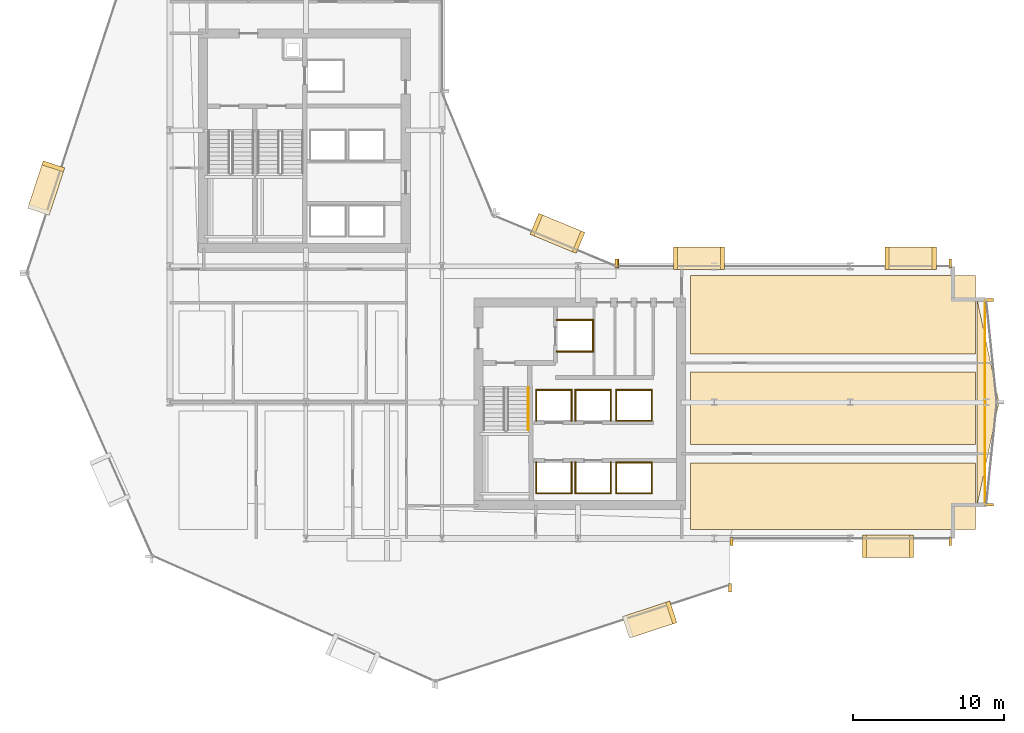
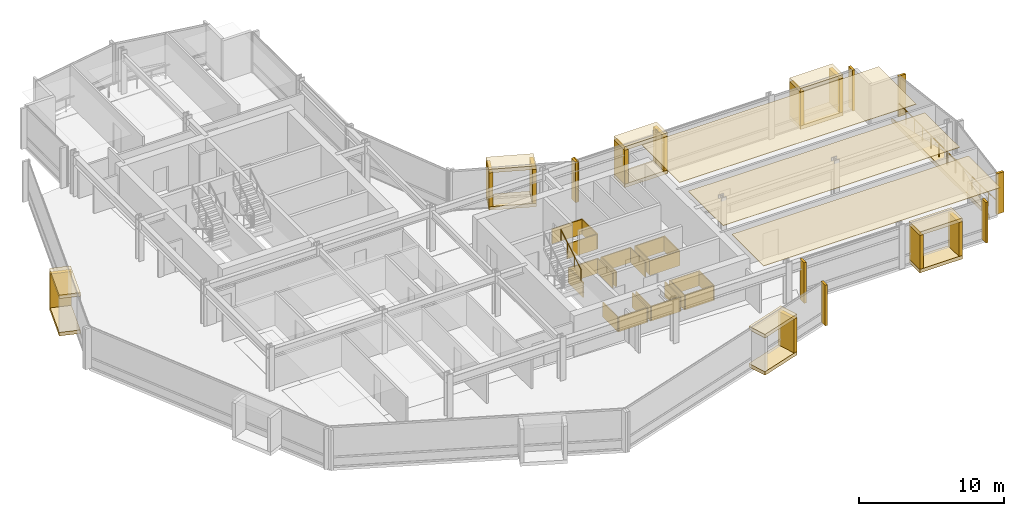
# One storey, part 32 of 34: 57 coverings, 2 railings.
"""IFC4 building model written with IfcOpenShell, lengths in metres."""

from ifc_helpers import new_model, si_unit, direction, frame, origin, origin_2d, place, context, subcontext, project, spatial, polyline, rectangle, circle, outline, extrude, material, layer, layer_set, type_object, element, save


model = new_model("IFC4")

# Units and contexts
model_context = context("Model", 3, precision=1e-05, world=origin(), true_north=direction((0.0, 1.0)))
body_context = subcontext(model_context, "Body", "Model", "MODEL_VIEW")
ifc_project = project(units=[si_unit("LENGTHUNIT", "METRE"), si_unit("AREAUNIT", "SQUARE_METRE"), si_unit("VOLUMEUNIT", "CUBIC_METRE"), si_unit("PLANEANGLEUNIT", "RADIAN"), si_unit("MASSUNIT", "GRAM", prefix="KILO")], contexts=[model_context])

# Site, building, storey
site_placement = place(None, origin())
site = spatial("IfcSite", under=ifc_project, at=site_placement, CompositionType="ELEMENT")
building_placement = place(site_placement, origin())
building = spatial("IfcBuilding", under=site, at=building_placement, Name="Solvaryn Broadcast Tower", CompositionType="ELEMENT")
storey_placement = place(building_placement, frame((0.0, 0.0, 69.300048828125)))
storey = spatial("IfcBuildingStorey", under=building, at=storey_placement, Name="L16", CompositionType="ELEMENT", Elevation=69.300048828125)

# Coverings
ifc_material_1 = material(Name="Micro-Perforated Acoustic Gypsum Ceiling", Category="concrete")
ifc_layer_1 = layer(ifc_material_1, 0.0400390625)
ifc_layer_set_1 = layer_set([ifc_layer_1], Name="CV-CEIL-ACOUSTIC")
covering_type_1 = type_object("IfcCoveringType", Name="CV-CEIL-ACOUSTIC", PredefinedType="CEILING", material=ifc_layer_set_1)
covering_1_placement = place(storey_placement, frame((0.0, 0.0, 3.3798828125)))
element("IfcCovering", 1, at=covering_1_placement, inside=storey, type_object=covering_type_1, Name="L16 Room Acoustic Ceiling 10", PredefinedType="CEILING", context=body_context, shape_type="SweptSolid", body=[
    extrude(outline(polyline([(43.449951171875, 9.60009765625), (62.300048828125, 9.60009765625), (62.300048828125, 14.0), (43.449951171875, 14.0), (43.449951171875, 9.60009765625)])), origin(), (0.0, 0.0, 1.0), 0.0400390625),
])
covering_2_placement = place(storey_placement, frame((0.0, 0.0, 3.3798828125)))
element("IfcCovering", 2, at=covering_2_placement, inside=storey, type_object=covering_type_1, Name="L16 Room Acoustic Ceiling 11", PredefinedType="CEILING", context=body_context, shape_type="SweptSolid", body=[
    extrude(outline(polyline([(43.449951171875, 15.199951171875), (62.300048828125, 15.199951171875), (62.300048828125, 20.0), (43.449951171875, 20.0), (43.449951171875, 15.199951171875)])), origin(), (0.0, 0.0, 1.0), 0.0400390625),
])
covering_3_placement = place(storey_placement, frame((0.0, 0.0, 3.3798828125)))
element("IfcCovering", 3, at=covering_3_placement, inside=storey, type_object=covering_type_1, Name="L16 Room Acoustic Ceiling 12", PredefinedType="CEILING", context=body_context, shape_type="SweptSolid", body=[
    extrude(outline(polyline([(43.449951171875, 21.199951171875), (62.300048828125, 21.199951171875), (62.300048828125, 26.39990234375), (43.449951171875, 26.39990234375), (43.449951171875, 21.199951171875)])), origin(), (0.0, 0.0, 1.0), 0.0400390625),
])
ifc_material_2 = material(Name="Fire-Rated Gypsum Shaftwall Liner", Category="concrete")
ifc_layer_2 = layer(ifc_material_2, 0.080078125)
ifc_layer_set_2 = layer_set([ifc_layer_2], Name="CV-SHAFT-LINER")
covering_type_2 = type_object("IfcCoveringType", Name="CV-SHAFT-LINER", PredefinedType="CLADDING", material=ifc_layer_set_2)
for number, where, z_axis, x_axis, name in (
    (4, (35.800048828125, 23.43994140625, 0.0), (0.0, 0.0, 1.0), (1.0, 0.0, 0.0), "L16 FL2 Hoistway Shaft Liner North"),
    (5, (35.800048828125, 21.360107421875, 0.0), (0.0, 0.0, 1.0), (1.0, 0.0, 0.0), "L16 FL2 Hoistway Shaft Liner South"),
):
    element("IfcCovering", number, at=place(storey_placement, frame(where, z_axis=z_axis, x_axis=x_axis)), inside=storey, type_object=covering_type_2, Name=name, PredefinedType="CLADDING", context=body_context, shape_type="SweptSolid", body=[
        extrude(rectangle(XDim=2.4599609375, YDim=0.080078125, at=origin_2d()), origin(), (0.0, 0.0, 1.0), 1.25),
    ])
covering_4_placement = place(storey_placement, frame((36.989990234375, 22.39990234375, 0.0), z_axis=(0.0, 0.0, 1.0), x_axis=(1.0, 0.0, 0.0)))
element("IfcCovering", 6, at=covering_4_placement, inside=storey, type_object=covering_type_2, Name="L16 FL2 Hoistway Shaft Liner East", PredefinedType="CLADDING", context=body_context, shape_type="SweptSolid", body=[
    extrude(rectangle(XDim=0.080078125, YDim=2.159912109375, at=origin_2d()), origin(), (0.0, 0.0, 1.0), 1.25),
])
covering_5_placement = place(storey_placement, frame((34.39990234375, 11.985107421875, 0.0), z_axis=(0.0, 0.0, 1.0), x_axis=(1.0, 0.0, 0.0)))
element("IfcCovering", 7, at=covering_5_placement, inside=storey, type_object=covering_type_2, Name="L16 PL1 Hoistway Shaft Liner South", PredefinedType="CLADDING", context=body_context, shape_type="SweptSolid", body=[
    extrude(rectangle(XDim=2.409912109375, YDim=0.080078125, at=origin_2d()), origin(), (0.0, 0.0, 1.0), 1.25),
])
for number, where, z_axis, x_axis, name in (
    (8, (35.56494140625, 13.0, 0.0), (0.0, 0.0, 1.0), (1.0, 0.0, 0.0), "L16 PL1 Hoistway Shaft Liner East"),
    (9, (33.235107421875, 13.0, 0.0), (0.0, 0.0, 1.0), (1.0, 0.0, 0.0), "L16 PL1 Hoistway Shaft Liner West"),
):
    element("IfcCovering", number, at=place(storey_placement, frame(where, z_axis=z_axis, x_axis=x_axis)), inside=storey, type_object=covering_type_2, Name=name, PredefinedType="CLADDING", context=body_context, shape_type="SweptSolid", body=[
        extrude(rectangle(XDim=0.080078125, YDim=2.110107421875, at=origin_2d()), origin(), (0.0, 0.0, 1.0), 1.25),
    ])
covering_6_placement = place(storey_placement, frame((37.0, 11.985107421875, 0.0), z_axis=(0.0, 0.0, 1.0), x_axis=(1.0, 0.0, 0.0)))
element("IfcCovering", 10, at=covering_6_placement, inside=storey, type_object=covering_type_2, Name="L16 PL2 Hoistway Shaft Liner South", PredefinedType="CLADDING", context=body_context, shape_type="SweptSolid", body=[
    extrude(rectangle(XDim=2.409912109375, YDim=0.080078125, at=origin_2d()), origin(), (0.0, 0.0, 1.0), 1.25),
])
for number, where, z_axis, x_axis, name in (
    (11, (38.1650390625, 13.0, 0.0), (0.0, 0.0, 1.0), (1.0, 0.0, 0.0), "L16 PL2 Hoistway Shaft Liner East"),
    (12, (35.8349609375, 13.0, 0.0), (0.0, 0.0, 1.0), (1.0, 0.0, 0.0), "L16 PL2 Hoistway Shaft Liner West"),
):
    element("IfcCovering", number, at=place(storey_placement, frame(where, z_axis=z_axis, x_axis=x_axis)), inside=storey, type_object=covering_type_2, Name=name, PredefinedType="CLADDING", context=body_context, shape_type="SweptSolid", body=[
        extrude(rectangle(XDim=0.080078125, YDim=2.110107421875, at=origin_2d()), origin(), (0.0, 0.0, 1.0), 1.25),
    ])
covering_7_placement = place(storey_placement, frame((34.39990234375, 18.81494140625, 0.0), z_axis=(0.0, 0.0, 1.0), x_axis=(1.0, 0.0, 0.0)))
element("IfcCovering", 13, at=covering_7_placement, inside=storey, type_object=covering_type_2, Name="L16 PL3 Hoistway Shaft Liner North", PredefinedType="CLADDING", context=body_context, shape_type="SweptSolid", body=[
    extrude(rectangle(XDim=2.409912109375, YDim=0.080078125, at=origin_2d()), origin(), (0.0, 0.0, 1.0), 1.25),
])
for number, where, z_axis, x_axis, name in (
    (14, (35.56494140625, 17.800048828125, 0.0), (0.0, 0.0, 1.0), (1.0, 0.0, 0.0), "L16 PL3 Hoistway Shaft Liner East"),
    (15, (33.235107421875, 17.800048828125, 0.0), (0.0, 0.0, 1.0), (1.0, 0.0, 0.0), "L16 PL3 Hoistway Shaft Liner West"),
):
    element("IfcCovering", number, at=place(storey_placement, frame(where, z_axis=z_axis, x_axis=x_axis)), inside=storey, type_object=covering_type_2, Name=name, PredefinedType="CLADDING", context=body_context, shape_type="SweptSolid", body=[
        extrude(rectangle(XDim=0.080078125, YDim=2.110107421875, at=origin_2d()), origin(), (0.0, 0.0, 1.0), 1.25),
    ])
covering_8_placement = place(storey_placement, frame((37.0, 18.81494140625, 0.0), z_axis=(0.0, 0.0, 1.0), x_axis=(1.0, 0.0, 0.0)))
element("IfcCovering", 16, at=covering_8_placement, inside=storey, type_object=covering_type_2, Name="L16 PL4 Hoistway Shaft Liner North", PredefinedType="CLADDING", context=body_context, shape_type="SweptSolid", body=[
    extrude(rectangle(XDim=2.409912109375, YDim=0.080078125, at=origin_2d()), origin(), (0.0, 0.0, 1.0), 1.25),
])
for number, where, z_axis, x_axis, name in (
    (17, (38.1650390625, 17.800048828125, 0.0), (0.0, 0.0, 1.0), (1.0, 0.0, 0.0), "L16 PL4 Hoistway Shaft Liner East"),
    (18, (35.8349609375, 17.800048828125, 0.0), (0.0, 0.0, 1.0), (1.0, 0.0, 0.0), "L16 PL4 Hoistway Shaft Liner West"),
):
    element("IfcCovering", number, at=place(storey_placement, frame(where, z_axis=z_axis, x_axis=x_axis)), inside=storey, type_object=covering_type_2, Name=name, PredefinedType="CLADDING", context=body_context, shape_type="SweptSolid", body=[
        extrude(rectangle(XDim=0.080078125, YDim=2.110107421875, at=origin_2d()), origin(), (0.0, 0.0, 1.0), 1.25),
    ])
for number, where, z_axis, x_axis, name in (
    (19, (39.699951171875, 14.014892578125, 0.0), (0.0, 0.0, 1.0), (1.0, 0.0, 0.0), "L16 PM1 Hoistway Shaft Liner North"),
    (20, (39.699951171875, 11.985107421875, 0.0), (0.0, 0.0, 1.0), (1.0, 0.0, 0.0), "L16 PM1 Hoistway Shaft Liner South"),
):
    element("IfcCovering", number, at=place(storey_placement, frame(where, z_axis=z_axis, x_axis=x_axis)), inside=storey, type_object=covering_type_2, Name=name, PredefinedType="CLADDING", context=body_context, shape_type="SweptSolid", body=[
        extrude(rectangle(XDim=2.409912109375, YDim=0.080078125, at=origin_2d()), origin(), (0.0, 0.0, 1.0), 1.25),
    ])
for number, where, z_axis, x_axis, name in (
    (21, (40.864990234375, 13.0, 0.0), (0.0, 0.0, 1.0), (1.0, 0.0, 0.0), "L16 PM1 Hoistway Shaft Liner East"),
    (22, (38.534912109375, 13.0, 0.0), (0.0, 0.0, 1.0), (1.0, 0.0, 0.0), "L16 PM1 Hoistway Shaft Liner West"),
):
    element("IfcCovering", number, at=place(storey_placement, frame(where, z_axis=z_axis, x_axis=x_axis)), inside=storey, type_object=covering_type_2, Name=name, PredefinedType="CLADDING", context=body_context, shape_type="SweptSolid", body=[
        extrude(rectangle(XDim=0.080078125, YDim=2.110107421875, at=origin_2d()), origin(), (0.0, 0.0, 1.0), 1.25),
    ])
for number, where, z_axis, x_axis, name in (
    (23, (39.699951171875, 18.81494140625, 0.0), (0.0, 0.0, 1.0), (1.0, 0.0, 0.0), "L16 PM2 Hoistway Shaft Liner North"),
    (24, (39.699951171875, 16.784912109375, 0.0), (0.0, 0.0, 1.0), (1.0, 0.0, 0.0), "L16 PM2 Hoistway Shaft Liner South"),
):
    element("IfcCovering", number, at=place(storey_placement, frame(where, z_axis=z_axis, x_axis=x_axis)), inside=storey, type_object=covering_type_2, Name=name, PredefinedType="CLADDING", context=body_context, shape_type="SweptSolid", body=[
        extrude(rectangle(XDim=2.409912109375, YDim=0.080078125, at=origin_2d()), origin(), (0.0, 0.0, 1.0), 1.25),
    ])
for number, where, z_axis, x_axis, name in (
    (25, (40.864990234375, 17.800048828125, 0.0), (0.0, 0.0, 1.0), (1.0, 0.0, 0.0), "L16 PM2 Hoistway Shaft Liner East"),
    (26, (38.534912109375, 17.800048828125, 0.0), (0.0, 0.0, 1.0), (1.0, 0.0, 0.0), "L16 PM2 Hoistway Shaft Liner West"),
):
    element("IfcCovering", number, at=place(storey_placement, frame(where, z_axis=z_axis, x_axis=x_axis)), inside=storey, type_object=covering_type_2, Name=name, PredefinedType="CLADDING", context=body_context, shape_type="SweptSolid", body=[
        extrude(rectangle(XDim=0.080078125, YDim=2.110107421875, at=origin_2d()), origin(), (0.0, 0.0, 1.0), 1.25),
    ])
ifc_material_3 = material(Name="Glazed Architectural Terracotta Rainscreen Cladding", Category="masonry")
ifc_layer_3 = layer(ifc_material_3, 0.280029296875)
ifc_layer_set_3 = layer_set([ifc_layer_3], Name="CV-TC-CLAD")
covering_type_3 = type_object("IfcCoveringType", Name="CV-TC-CLAD", PredefinedType="CLADDING", material=ifc_layer_set_3)
for number, where, z_axis, x_axis, name in (
    (27, (0.819091796875, 32.173095703125, 3.1298828125), (0.0, 0.0, 1.0), (-0.311671636848, -0.950189870912, 0.0), "L16 Projecting Stone Window Box Hood 1"),
    (28, (0.819091796875, 32.173095703125, -0.01025390625), (0.0, 0.0, 1.0), (-0.311671636848, -0.950189870912, 0.0), "L16 Projecting Stone Window Box Sill 1"),
):
    element("IfcCovering", number, at=place(storey_placement, frame(where, z_axis=z_axis, x_axis=x_axis)), inside=storey, type_object=covering_type_3, Name=name, PredefinedType="CLADDING", context=body_context, shape_type="SweptSolid", body=[
        extrude(rectangle(XDim=3.300048828125, YDim=1.5, at=origin_2d()), origin(), (0.0, 0.0, 1.0), 0.300048828125),
    ])
covering_9_placement = place(storey_placement, frame((1.28955078125, 33.60791015625, 0.27978515625), z_axis=(0.0, 0.0, 1.0), x_axis=(-0.311671636848, -0.950189870912, 0.0)))
element("IfcCovering", 29, at=covering_9_placement, inside=storey, type_object=covering_type_3, Name="L16 Projecting Stone Window Box Cheek 1-1", PredefinedType="CLADDING", context=body_context, shape_type="SweptSolid", body=[
    extrude(rectangle(XDim=0.280029296875, YDim=1.5, at=origin_2d()), origin(), (0.0, 0.0, 1.0), 2.860107421875),
])
for number, where, z_axis, x_axis, name in (
    (30, (40.73291015625, 3.6259765625, 3.1298828125), (0.0, 0.0, 1.0), (0.950189870912, 0.311671636848, 0.0), "L16 Projecting Stone Window Box Hood 4"),
    (31, (40.73291015625, 3.6259765625, -0.01025390625), (0.0, 0.0, 1.0), (0.950189870912, 0.311671636848, 0.0), "L16 Projecting Stone Window Box Sill 4"),
):
    element("IfcCovering", number, at=place(storey_placement, frame(where, z_axis=z_axis, x_axis=x_axis)), inside=storey, type_object=covering_type_3, Name=name, PredefinedType="CLADDING", context=body_context, shape_type="SweptSolid", body=[
        extrude(rectangle(XDim=3.300048828125, YDim=1.5, at=origin_2d()), origin(), (0.0, 0.0, 1.0), 0.300048828125),
    ])
covering_10_placement = place(storey_placement, frame((42.167724609375, 4.0966796875, 0.27978515625), z_axis=(0.0, 0.0, 1.0), x_axis=(0.950189870912, 0.311671636848, 0.0)))
element("IfcCovering", 32, at=covering_10_placement, inside=storey, type_object=covering_type_3, Name="L16 Projecting Stone Window Box Cheek 4-2", PredefinedType="CLADDING", context=body_context, shape_type="SweptSolid", body=[
    extrude(rectangle(XDim=0.280029296875, YDim=1.5, at=origin_2d()), origin(), (0.0, 0.0, 1.0), 2.860107421875),
])
for number, where, z_axis, x_axis, name in (
    (33, (34.636962890625, 29.174072265625, 3.1298828125), (0.0, 0.0, 1.0), (-0.923879532511, 0.382683432365, 0.0), "L16 Projecting Stone Window Box Hood 5"),
    (34, (34.636962890625, 29.174072265625, -0.01025390625), (0.0, 0.0, 1.0), (-0.923879532511, 0.382683432365, 0.0), "L16 Projecting Stone Window Box Sill 5"),
):
    element("IfcCovering", number, at=place(storey_placement, frame(where, z_axis=z_axis, x_axis=x_axis)), inside=storey, type_object=covering_type_3, Name=name, PredefinedType="CLADDING", context=body_context, shape_type="SweptSolid", body=[
        extrude(rectangle(XDim=3.300048828125, YDim=1.5, at=origin_2d()), origin(), (0.0, 0.0, 1.0), 0.300048828125),
    ])
for number, where, z_axis, x_axis, name in (
    (35, (36.031982421875, 28.59619140625, 0.27978515625), (0.0, 0.0, 1.0), (-0.923879532511, 0.382683432365, 0.0), "L16 Projecting Stone Window Box Cheek 5-1"),
    (36, (33.241943359375, 29.751953125, 0.27978515625), (0.0, 0.0, 1.0), (-0.923879532511, 0.382683432365, 0.0), "L16 Projecting Stone Window Box Cheek 5-2"),
):
    element("IfcCovering", number, at=place(storey_placement, frame(where, z_axis=z_axis, x_axis=x_axis)), inside=storey, type_object=covering_type_3, Name=name, PredefinedType="CLADDING", context=body_context, shape_type="SweptSolid", body=[
        extrude(rectangle(XDim=0.280029296875, YDim=1.5, at=origin_2d()), origin(), (0.0, 0.0, 1.0), 2.860107421875),
    ])
for number, where, z_axis, x_axis, name in (
    (37, (56.5, 8.469970703125, 3.1298828125), (0.0, 0.0, 1.0), (1.0, 0.0, 0.0), "L16 Projecting Stone Window Box Hood 6"),
    (38, (56.5, 8.469970703125, -0.01025390625), (0.0, 0.0, 1.0), (1.0, 0.0, 0.0), "L16 Projecting Stone Window Box Sill 6"),
):
    element("IfcCovering", number, at=place(storey_placement, frame(where, z_axis=z_axis, x_axis=x_axis)), inside=storey, type_object=covering_type_3, Name=name, PredefinedType="CLADDING", context=body_context, shape_type="SweptSolid", body=[
        extrude(rectangle(XDim=3.39990234375, YDim=1.5, at=origin_2d()), origin(), (0.0, 0.0, 1.0), 0.300048828125),
    ])
for number, where, z_axis, x_axis, name in (
    (39, (54.93994140625, 8.469970703125, 0.27978515625), (0.0, 0.0, 1.0), (1.0, 0.0, 0.0), "L16 Projecting Stone Window Box Cheek 6-1"),
    (40, (58.06005859375, 8.469970703125, 0.27978515625), (0.0, 0.0, 1.0), (1.0, 0.0, 0.0), "L16 Projecting Stone Window Box Cheek 6-2"),
):
    element("IfcCovering", number, at=place(storey_placement, frame(where, z_axis=z_axis, x_axis=x_axis)), inside=storey, type_object=covering_type_3, Name=name, PredefinedType="CLADDING", context=body_context, shape_type="SweptSolid", body=[
        extrude(rectangle(XDim=0.280029296875, YDim=1.5, at=origin_2d()), origin(), (0.0, 0.0, 1.0), 2.860107421875),
    ])
for number, where, z_axis, x_axis, name in (
    (41, (44.0, 27.530029296875, 3.1298828125), (0.0, 0.0, 1.0), (1.0, 0.0, 0.0), "L16 Projecting Stone Window Box Hood 7"),
    (42, (44.0, 27.530029296875, -0.01025390625), (0.0, 0.0, 1.0), (1.0, 0.0, 0.0), "L16 Projecting Stone Window Box Sill 7"),
):
    element("IfcCovering", number, at=place(storey_placement, frame(where, z_axis=z_axis, x_axis=x_axis)), inside=storey, type_object=covering_type_3, Name=name, PredefinedType="CLADDING", context=body_context, shape_type="SweptSolid", body=[
        extrude(rectangle(XDim=3.39990234375, YDim=1.5, at=origin_2d()), origin(), (0.0, 0.0, 1.0), 0.300048828125),
    ])
for number, where, z_axis, x_axis, name in (
    (43, (42.43994140625, 27.530029296875, 0.27978515625), (0.0, 0.0, 1.0), (1.0, 0.0, 0.0), "L16 Projecting Stone Window Box Cheek 7-1"),
    (44, (45.56005859375, 27.530029296875, 0.27978515625), (0.0, 0.0, 1.0), (1.0, 0.0, 0.0), "L16 Projecting Stone Window Box Cheek 7-2"),
):
    element("IfcCovering", number, at=place(storey_placement, frame(where, z_axis=z_axis, x_axis=x_axis)), inside=storey, type_object=covering_type_3, Name=name, PredefinedType="CLADDING", context=body_context, shape_type="SweptSolid", body=[
        extrude(rectangle(XDim=0.280029296875, YDim=1.5, at=origin_2d()), origin(), (0.0, 0.0, 1.0), 2.860107421875),
    ])
for number, where, z_axis, x_axis, name in (
    (45, (58.0, 27.530029296875, 3.1298828125), (0.0, 0.0, 1.0), (1.0, 0.0, 0.0), "L16 Projecting Stone Window Box Hood 8"),
    (46, (58.0, 27.530029296875, -0.01025390625), (0.0, 0.0, 1.0), (1.0, 0.0, 0.0), "L16 Projecting Stone Window Box Sill 8"),
):
    element("IfcCovering", number, at=place(storey_placement, frame(where, z_axis=z_axis, x_axis=x_axis)), inside=storey, type_object=covering_type_3, Name=name, PredefinedType="CLADDING", context=body_context, shape_type="SweptSolid", body=[
        extrude(rectangle(XDim=3.39990234375, YDim=1.5, at=origin_2d()), origin(), (0.0, 0.0, 1.0), 0.300048828125),
    ])
for number, where, z_axis, x_axis, name in (
    (47, (56.43994140625, 27.530029296875, 0.27978515625), (0.0, 0.0, 1.0), (1.0, 0.0, 0.0), "L16 Projecting Stone Window Box Cheek 8-1"),
    (48, (59.56005859375, 27.530029296875, 0.27978515625), (0.0, 0.0, 1.0), (1.0, 0.0, 0.0), "L16 Projecting Stone Window Box Cheek 8-2"),
):
    element("IfcCovering", number, at=place(storey_placement, frame(where, z_axis=z_axis, x_axis=x_axis)), inside=storey, type_object=covering_type_3, Name=name, PredefinedType="CLADDING", context=body_context, shape_type="SweptSolid", body=[
        extrude(rectangle(XDim=0.280029296875, YDim=1.5, at=origin_2d()), origin(), (0.0, 0.0, 1.0), 2.860107421875),
    ])
ifc_material_4 = material(Name="Extruded Architectural Terracotta Fin", Category="masonry")
ifc_layer_4 = layer(ifc_material_4, 0.179931640625)
ifc_layer_set_4 = layer_set([ifc_layer_4], Name="CV-TC-FIN")
covering_type_4 = type_object("IfcCoveringType", Name="CV-TC-FIN", PredefinedType="USERDEFINED", material=ifc_layer_set_4)
for number, where, z_axis, x_axis, name in (
    (49, (46.043701171875, 5.735595703125, 0.0), (0.0, 0.0, 1.0), (1.0, 0.0, 0.0), "L16 Terracotta Vertical Fin FIN-L16-DR4-M01"),
    (50, (38.541259765625, 27.177978515625, 0.0), (0.0, 0.0, 1.0), (1.0, 0.0, 0.0), "L16 Terracotta Vertical Fin FIN-L16-CN1-M00"),
    (51, (46.14599609375, 8.8125, 0.0), (0.0, 0.0, 1.0), (1.0, 0.0, 0.0), "L16 Terracotta Vertical Fin FIN-L16-S2-M00"),
    (52, (60.6201171875, 8.8125, 0.0), (0.0, 0.0, 1.0), (1.0, 0.0, 0.0), "L16 Terracotta Vertical Fin FIN-L16-S2-M01"),
):
    element("IfcCovering", number, at=place(storey_placement, frame(where, z_axis=z_axis, x_axis=x_axis)), inside=storey, type_object=covering_type_4, Name=name, ObjectType="FIN", PredefinedType="USERDEFINED", context=body_context, shape_type="SweptSolid", body=[
        extrude(rectangle(XDim=0.179931640625, YDim=0.580078125, at=origin_2d()), origin(), (0.0, 0.0, 1.0), 3.419921875),
    ])
for number, where, z_axis, x_axis, name in (
    (53, (63.190673828125, 24.770263671875, 0.0), (0.0, 0.0, 1.0), (1.0, 0.0, 0.0), "L16 Terracotta Vertical Fin FIN-L16-ET1-M00"),
    (54, (63.190673828125, 11.229736328125, 0.0), (0.0, 0.0, 1.0), (1.0, 0.0, 0.0), "L16 Terracotta Vertical Fin FIN-L16-ET2-M01"),
):
    element("IfcCovering", number, at=place(storey_placement, frame(where, z_axis=z_axis, x_axis=x_axis)), inside=storey, type_object=covering_type_4, Name=name, ObjectType="FIN", PredefinedType="USERDEFINED", context=body_context, shape_type="SweptSolid", body=[
        extrude(rectangle(XDim=0.580078125, YDim=0.179931640625, at=origin_2d()), origin(), (0.0, 0.0, 1.0), 3.419921875),
    ])
for number, where, z_axis, x_axis, name in (
    (55, (38.6298828125, 27.1875, 0.0), (0.0, 0.0, 1.0), (1.0, 0.0, 0.0), "L16 Terracotta Vertical Fin FIN-L16-IH-M00"),
    (56, (60.6201171875, 27.1875, 0.0), (0.0, 0.0, 1.0), (1.0, 0.0, 0.0), "L16 Terracotta Vertical Fin FIN-L16-IH-M01"),
):
    element("IfcCovering", number, at=place(storey_placement, frame(where, z_axis=z_axis, x_axis=x_axis)), inside=storey, type_object=covering_type_4, Name=name, ObjectType="FIN", PredefinedType="USERDEFINED", context=body_context, shape_type="SweptSolid", body=[
        extrude(rectangle(XDim=0.179931640625, YDim=0.580078125, at=origin_2d()), origin(), (0.0, 0.0, 1.0), 3.419921875),
    ])
ifc_material_5 = material(Name="Sculpted Architectural Terracotta Wave Fascia", Category="masonry")
ifc_layer_5 = layer(ifc_material_5, 0.340087890625)
ifc_layer_set_5 = layer_set([ifc_layer_5], Name="CV-WAVE-TRAY")
covering_type_5 = type_object("IfcCoveringType", Name="CV-WAVE-TRAY", PredefinedType="CLADDING", material=ifc_layer_set_5)
covering_11_placement = place(storey_placement, frame((0.0, 0.0, -0.300048828125)))
element("IfcCovering", 57, at=covering_11_placement, inside=storey, type_object=covering_type_5, Name="L16 East Curved Wing Deck", PredefinedType="CLADDING", context=body_context, shape_type="SweptSolid", body=[
    extrude(outline(polyline([(62.39990234375, 11.199951171875), (63.85009765625, 18.0), (62.39990234375, 24.800048828125), (62.39990234375, 11.199951171875)])), origin(), (0.0, 0.0, 1.0), 0.330078125),
])

# Railings
ifc_material_6 = material(Name="Brushed Stainless Steel Tubular Handrail", Category="steel")
railing_type_1 = type_object("IfcRailingType", Name="RL-STAIR-HANDRAIL", PredefinedType="HANDRAIL", material=ifc_material_6)
railing_1_placement = place(storey_placement, frame((32.699951171875, 16.159912109375, 2.01806640625)))
element("IfcRailing", 58, at=railing_1_placement, inside=storey, type_object=railing_type_1, Name="L16 ST3 stair handrail 2", PredefinedType="HANDRAIL", context=body_context, shape_type="SweptSolid", body=[
    extrude(circle(Radius=0.02392578125, at=origin_2d()), frame((0.0, 0.0, 0.8759765625), z_axis=(0.0, 0.857242210791, 0.514913383045), x_axis=(-1.0, 0.0, 0.0)), (0.0, 0.0, 1.0), 3.266357421875),
    extrude(circle(Radius=0.02099609375, at=origin_2d()), origin(), (0.0, 0.0, 1.0), 0.851806640625),
    extrude(circle(Radius=0.02099609375, at=origin_2d()), frame((0.0, 0.933349609375, 0.560546875)), (0.0, 0.0, 1.0), 0.851806640625),
    extrude(circle(Radius=0.02099609375, at=origin_2d()), frame((0.0, 1.86669921875, 1.121337890625)), (0.0, 0.0, 1.0), 0.851806640625),
    extrude(circle(Radius=0.02099609375, at=origin_2d()), frame((0.0, 2.800048828125, 1.681884765625)), (0.0, 0.0, 1.0), 0.851806640625),
])
ifc_material_7 = material(Name="Stainless Steel and Laminated Glass Guard", Category="steel")
railing_type_2 = type_object("IfcRailingType", Name="RL-TER-1150", PredefinedType="BALUSTRADE", material=ifc_material_7)
railing_2_placement = place(storey_placement, frame((62.919921875, 11.199951171875, 0.0)))
element("IfcRailing", 59, at=railing_2_placement, inside=storey, type_object=railing_type_2, Name="L16 East Wing Spandrel Edge Guard", PredefinedType="BALUSTRADE", context=body_context, shape_type="SweptSolid", body=[
    extrude(circle(Radius=0.02392578125, at=origin_2d()), frame((0.0, 0.0, 1.1259765625), z_axis=(0.0, 1.0, 0.0), x_axis=(-1.0, 0.0, 0.0)), (0.0, 0.0, 1.0), 13.60009765625),
    extrude(circle(Radius=0.02099609375, at=origin_2d()), origin(), (0.0, 0.0, 1.0), 1.101806640625),
    extrude(circle(Radius=0.02099609375, at=origin_2d()), frame((0.0, 1.13330078125, 0.0)), (0.0, 0.0, 1.0), 1.101806640625),
    extrude(circle(Radius=0.02099609375, at=origin_2d()), frame((0.0, 2.2666015625, 0.0)), (0.0, 0.0, 1.0), 1.101806640625),
    extrude(circle(Radius=0.02099609375, at=origin_2d()), frame((0.0, 3.39990234375, 0.0)), (0.0, 0.0, 1.0), 1.101806640625),
    extrude(circle(Radius=0.02099609375, at=origin_2d()), frame((0.0, 4.533447265625, 0.0)), (0.0, 0.0, 1.0), 1.101806640625),
    extrude(circle(Radius=0.02099609375, at=origin_2d()), frame((0.0, 5.666748046875, 0.0)), (0.0, 0.0, 1.0), 1.101806640625),
    extrude(circle(Radius=0.02099609375, at=origin_2d()), frame((0.0, 6.800048828125, 0.0)), (0.0, 0.0, 1.0), 1.101806640625),
    extrude(circle(Radius=0.02099609375, at=origin_2d()), frame((0.0, 7.933349609375, 0.0)), (0.0, 0.0, 1.0), 1.101806640625),
    extrude(circle(Radius=0.02099609375, at=origin_2d()), frame((0.0, 9.066650390625, 0.0)), (0.0, 0.0, 1.0), 1.101806640625),
    extrude(circle(Radius=0.02099609375, at=origin_2d()), frame((0.0, 10.2001953125, 0.0)), (0.0, 0.0, 1.0), 1.101806640625),
    extrude(circle(Radius=0.02099609375, at=origin_2d()), frame((0.0, 11.33349609375, 0.0)), (0.0, 0.0, 1.0), 1.101806640625),
    extrude(circle(Radius=0.02099609375, at=origin_2d()), frame((0.0, 12.466796875, 0.0)), (0.0, 0.0, 1.0), 1.101806640625),
    extrude(circle(Radius=0.02099609375, at=origin_2d()), frame((0.0, 13.60009765625, 0.0)), (0.0, 0.0, 1.0), 1.101806640625),
])

save(model, "model.ifc")
